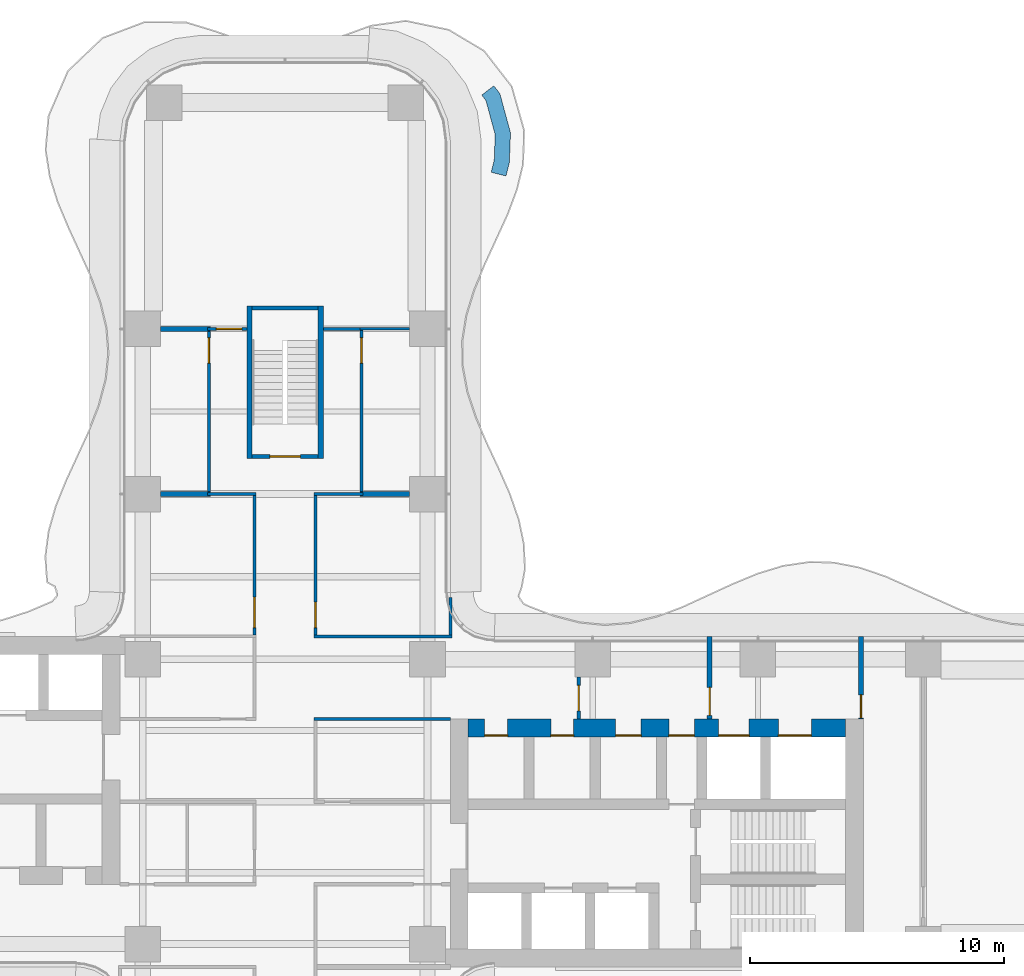
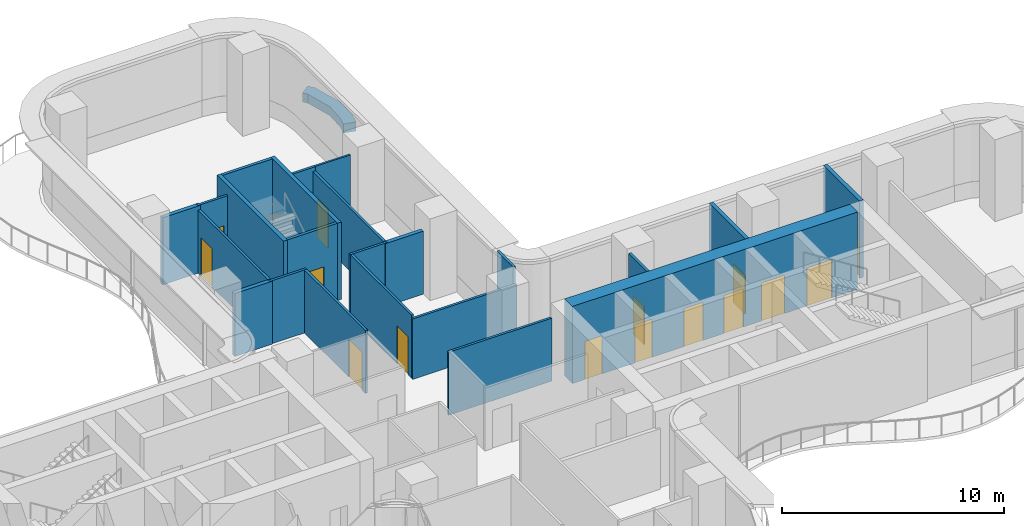
# One storey, part 19 of 22: 24 walls, 15 doors, 15 openings.
"""IFC4 building model written with IfcOpenShell, lengths in metres."""

from ifc_helpers import new_model, si_unit, direction, frame, frame_2d, origin, place, context, subcontext, project, spatial, polyline, rectangle, outline, extrude, source, transform, mapped, material, layer, layer_set, type_object, element, fill, save


model = new_model("IFC4")

# Units and contexts
model_context = context("Model", 3, precision=1e-05, world=origin(), true_north=direction((0.0, 1.0)))
body_context = subcontext(model_context, "Body", "Model", "MODEL_VIEW")
ifc_project = project(units=[si_unit("LENGTHUNIT", "METRE"), si_unit("AREAUNIT", "SQUARE_METRE"), si_unit("VOLUMEUNIT", "CUBIC_METRE"), si_unit("PLANEANGLEUNIT", "RADIAN"), si_unit("MASSUNIT", "GRAM", prefix="KILO")], contexts=[model_context])

# Site, building, storey
site_placement = place(None, origin())
site = spatial("IfcSite", under=ifc_project, at=site_placement, CompositionType="ELEMENT")
building_placement = place(site_placement, origin())
building = spatial("IfcBuilding", under=site, at=building_placement, Name="Trellis Farm Tower", CompositionType="ELEMENT")
storey_placement = place(building_placement, frame((0.0, 0.0, 43.0)))
storey = spatial("IfcBuildingStorey", under=building, at=storey_placement, Name="L08", CompositionType="ELEMENT", Elevation=43.0)

# Wall
ifc_material_1 = material(Name="Sandstone faced masonry planter", Category="masonry")
ifc_layer_1 = layer(ifc_material_1, 0.60009765625)
ifc_layer_set_1 = layer_set([ifc_layer_1], Name="PLANTER BED 600")
wall_type_1 = type_object("IfcWallType", Name="PLANTER BED 600", PredefinedType="USERDEFINED", material=ifc_layer_set_1)
wall_1_placement = place(storey_placement, origin())
element("IfcWall", 1, at=wall_1_placement, inside=storey, type_object=wall_type_1, Name="PLANTER bed", ObjectType="PLANTER", PredefinedType="USERDEFINED", context=body_context, shape_type="SweptSolid", body=[
    extrude(outline(polyline([(8.4482421875, 27.852294921875), (8.8662109375, 26.3134765625), (8.822509765625, 25.156494140625), (8.691650390625, 24.61669921875), (8.1083984375, 24.758056640625), (8.22509765625, 25.239501953125), (8.26318359375, 26.24462890625), (7.89990234375, 27.582275390625), (7.735107421875, 27.799072265625), (8.212646484375, 28.162353515625), (8.4482421875, 27.852294921875)])), origin(), (0.0, 0.0, 1.0), 0.5),
])

# Wall, opening, door
ifc_material_2 = material(Name="Masonry blockwork", Category="masonry")
ifc_layer_2 = layer(ifc_material_2, 0.199951171875)
ifc_layer_set_2 = layer_set([ifc_layer_2], Name="FIRE LOBBY PARTITION 200 BLOCKWORK")
wall_type_2 = type_object("IfcWallType", Name="FIRE LOBBY PARTITION 200 BLOCKWORK", PredefinedType="PARTITIONING", material=ifc_layer_set_2)
shared_shape_1 = source(origin(), body_context, "Body", "SweptSolid", [
    extrude(rectangle(XDim=3.25, YDim=0.199951171875, at=frame_2d((1.625, 0.0))), origin(), (0.0, 0.0, 1.0), 4.25),
])
wall_2_placement = place(storey_placement, frame((16.699951171875, 3.25, 0.0), z_axis=(0.0, 0.0, 1.0), x_axis=(0.0, 1.0, 0.0)))
wall_2 = element("IfcWall", 2, at=wall_2_placement, inside=storey, type_object=wall_type_2, Name="Fire-fighting lobby partition", PredefinedType="PARTITIONING", context=body_context, shape_type="MappedRepresentation", body=[
    mapped(shared_shape_1, transform((0.0, 0.0, 0.0))),
])
shared_shape_2 = source(origin(), body_context, "Body", "SweptSolid", [
    extrude(rectangle(XDim=1.10009765625, YDim=2.10009765625, at=frame_2d((0.550048828125, 1.050048828125))), frame((0.0, 0.110107421875, 0.0), z_axis=(0.0, -1.0, 0.0), x_axis=(1.0, 0.0, 0.0)), (0.0, 0.0, 1.0), 0.22021484375),
])
opening_1_placement = place(wall_2_placement, frame((0.14990234375, 0.0, 0.0)))
opening_1 = element("IfcOpeningElement", 3, at=opening_1_placement, cuts=wall_2, Name="Opening DC7", PredefinedType="OPENING", context=body_context, shape_type="MappedRepresentation", body=[
    mapped(shared_shape_2, transform((0.0, 0.0, 0.0))),
])
ifc_material_3 = material(Name="Steel", Category="steel")
door_type_1 = type_object("IfcDoorType", Name="CORE FIRE DOOR 1100 X 2100", OperationType="NOTDEFINED", PredefinedType="DOOR", material=ifc_material_3)
shared_shape_3 = source(origin(), body_context, "Body", "SweptSolid", [
    extrude(rectangle(XDim=1.10009765625, YDim=2.10009765625, at=frame_2d((0.550048828125, 1.050048828125))), frame((0.0, 0.02490234375, 0.0), z_axis=(0.0, -1.0, 0.0), x_axis=(1.0, 0.0, 0.0)), (0.0, 0.0, 1.0), 0.050048828125),
])
door_1_placement = place(opening_1_placement, origin())
door_1 = element("IfcDoor", 4, at=door_1_placement, inside=storey, type_object=door_type_1, Name="Core door", OperationType="SINGLE_SWING_RIGHT", OverallHeight=2.10009765625, OverallWidth=1.10009765625, PredefinedType="DOOR", context=body_context, shape_type="MappedRepresentation", body=[
    mapped(shared_shape_3, transform((0.0, 0.0, 0.0))),
])
fill(opening_1, door_1)

wall_3_placement = place(storey_placement, frame((22.64990234375, 3.25, 0.0), z_axis=(0.0, 0.0, 1.0), x_axis=(0.0, 1.0, 0.0)))
wall_3 = element("IfcWall", 5, at=wall_3_placement, inside=storey, type_object=wall_type_2, Name="Fire-fighting lobby partition", PredefinedType="PARTITIONING", context=body_context, shape_type="MappedRepresentation", body=[
    mapped(shared_shape_1, transform((0.0, 0.0, 0.0))),
])
shared_shape_4 = source(origin(), body_context, "Body", "SweptSolid", [
    extrude(rectangle(XDim=0.89990234375, YDim=2.10009765625, at=frame_2d((0.449951171875, 1.050048828125))), frame((0.0, 0.110107421875, 0.0), z_axis=(0.0, -1.0, 0.0), x_axis=(1.0, 0.0, 0.0)), (0.0, 0.0, 1.0), 0.22021484375),
])
opening_2_placement = place(wall_3_placement, frame((0.050048828125, 0.0, 0.0)))
opening_2 = element("IfcOpeningElement", 6, at=opening_2_placement, cuts=wall_3, Name="Opening DC8", PredefinedType="OPENING", context=body_context, shape_type="MappedRepresentation", body=[
    mapped(shared_shape_4, transform((0.0, 0.0, 0.0))),
])
door_type_2 = type_object("IfcDoorType", Name="CORE FIRE DOOR 900 X 2100", OperationType="NOTDEFINED", PredefinedType="DOOR", material=ifc_material_3)
shared_shape_5 = source(origin(), body_context, "Body", "SweptSolid", [
    extrude(rectangle(XDim=0.89990234375, YDim=2.10009765625, at=frame_2d((0.449951171875, 1.050048828125))), frame((0.0, 0.02490234375, 0.0), z_axis=(0.0, -1.0, 0.0), x_axis=(1.0, 0.0, 0.0)), (0.0, 0.0, 1.0), 0.050048828125),
])
door_2_placement = place(opening_2_placement, origin())
door_2 = element("IfcDoor", 7, at=door_2_placement, inside=storey, type_object=door_type_2, Name="Core door", OperationType="SINGLE_SWING_RIGHT", OverallHeight=2.10009765625, OverallWidth=0.89990234375, PredefinedType="DOOR", context=body_context, shape_type="MappedRepresentation", body=[
    mapped(shared_shape_5, transform((0.0, 0.0, 0.0))),
])
fill(opening_2, door_2)

# Wall, openings, doors
ifc_material_4 = material(Name="Concrete C80/95", Category="concrete")
ifc_layer_3 = layer(ifc_material_4, 0.699951171875)
ifc_layer_set_3 = layer_set([ifc_layer_3], Name="CORE OUTER WALL 700 CONCRETE C80/95")
wall_type_3 = type_object("IfcWallType", Name="CORE OUTER WALL 700 CONCRETE C80/95", PredefinedType="SHEAR", material=ifc_layer_set_3)
shared_shape_6 = source(origin(), body_context, "Body", "SweptSolid", [
    extrude(rectangle(XDim=14.85009765625, YDim=0.699951171875, at=frame_2d((7.425048828125, 0.0))), origin(), (0.0, 0.0, 1.0), 4.25),
])
wall_4_placement = place(storey_placement, frame((7.199951171875, 2.89990234375, 0.0), z_axis=(0.0, 0.0, 1.0), x_axis=(1.0, 0.0, 0.0)))
wall_4 = element("IfcWall", 8, at=wall_4_placement, inside=storey, type_object=wall_type_3, Name="Core wall", PredefinedType="SHEAR", context=body_context, shape_type="MappedRepresentation", body=[
    mapped(shared_shape_6, transform((0.0, 0.0, 0.0))),
])
shared_shape_7 = source(origin(), body_context, "Body", "SweptSolid", [
    extrude(rectangle(XDim=1.300048828125, YDim=2.10009765625, at=frame_2d((0.64990234375, 1.050048828125))), frame((0.0, 0.360107421875, 0.0), z_axis=(0.0, -1.0, 0.0), x_axis=(1.0, 0.0, 0.0)), (0.0, 0.0, 1.0), 0.72021484375),
])
opening_3_placement = place(wall_4_placement, frame((12.199951171875, 0.0, 0.0)))
opening_3 = element("IfcOpeningElement", 9, at=opening_3_placement, cuts=wall_4, Name="Opening LD7", PredefinedType="OPENING", context=body_context, shape_type="MappedRepresentation", body=[
    mapped(shared_shape_7, transform((0.0, 0.0, 0.0))),
])
shared_shape_8 = source(origin(), body_context, "Body", "SweptSolid", [
    extrude(rectangle(XDim=1.199951171875, YDim=2.10009765625, at=frame_2d((0.60009765625, 1.050048828125))), frame((0.0, 0.360107421875, 0.0), z_axis=(0.0, -1.0, 0.0), x_axis=(1.0, 0.0, 0.0)), (0.0, 0.0, 1.0), 0.72021484375),
])
opening_4_placement = place(wall_4_placement, frame((9.85009765625, 0.0, 0.0)))
opening_4 = element("IfcOpeningElement", 10, at=opening_4_placement, cuts=wall_4, Name="Opening LD8", PredefinedType="OPENING", context=body_context, shape_type="MappedRepresentation", body=[
    mapped(shared_shape_8, transform((0.0, 0.0, 0.0))),
])
shared_shape_9 = source(origin(), body_context, "Body", "SweptSolid", [
    extrude(rectangle(XDim=1.0, YDim=2.10009765625, at=frame_2d((0.5, 1.050048828125))), frame((0.0, 0.360107421875, 0.0), z_axis=(0.0, -1.0, 0.0), x_axis=(1.0, 0.0, 0.0)), (0.0, 0.0, 1.0), 0.72021484375),
])
opening_5_placement = place(wall_4_placement, frame((7.89990234375, 0.0, 0.0)))
opening_5 = element("IfcOpeningElement", 11, at=opening_5_placement, cuts=wall_4, Name="Opening DC6", PredefinedType="OPENING", context=body_context, shape_type="MappedRepresentation", body=[
    mapped(shared_shape_9, transform((0.0, 0.0, 0.0))),
])
shared_shape_10 = source(origin(), body_context, "Body", "SweptSolid", [
    extrude(rectangle(XDim=0.89990234375, YDim=2.10009765625, at=frame_2d((0.449951171875, 1.050048828125))), frame((0.0, 0.360107421875, 0.0), z_axis=(0.0, -1.0, 0.0), x_axis=(1.0, 0.0, 0.0)), (0.0, 0.0, 1.0), 0.72021484375),
])
opening_6_placement = place(wall_4_placement, frame((0.64990234375, 0.0, 0.0)))
opening_6 = element("IfcOpeningElement", 12, at=opening_6_placement, cuts=wall_4, Name="Opening DC11", PredefinedType="OPENING", context=body_context, shape_type="MappedRepresentation", body=[
    mapped(shared_shape_10, transform((0.0, 0.0, 0.0))),
])
opening_7_placement = place(wall_4_placement, frame((3.25, 0.0, 0.0)))
opening_7 = element("IfcOpeningElement", 13, at=opening_7_placement, cuts=wall_4, Name="Opening DC24", PredefinedType="OPENING", context=body_context, shape_type="MappedRepresentation", body=[
    mapped(shared_shape_10, transform((0.0, 0.0, 0.0))),
])
opening_8_placement = place(wall_4_placement, frame((5.800048828125, 0.0, 0.0)))
opening_8 = element("IfcOpeningElement", 14, at=opening_8_placement, cuts=wall_4, Name="Opening DC37", PredefinedType="OPENING", context=body_context, shape_type="MappedRepresentation", body=[
    mapped(shared_shape_9, transform((0.0, 0.0, 0.0))),
])
door_type_3 = type_object("IfcDoorType", Name="CORE FIRE DOOR 1000 X 2100", OperationType="NOTDEFINED", PredefinedType="DOOR", material=ifc_material_3)
shared_shape_11 = source(origin(), body_context, "Body", "SweptSolid", [
    extrude(rectangle(XDim=1.0, YDim=2.10009765625, at=frame_2d((0.5, 1.050048828125))), frame((0.0, -0.27490234375, 0.0), z_axis=(0.0, -1.0, 0.0), x_axis=(1.0, 0.0, 0.0)), (0.0, 0.0, 1.0), 0.050048828125),
])
door_3_placement = place(opening_5_placement, origin())
door_3 = element("IfcDoor", 15, at=door_3_placement, inside=storey, type_object=door_type_3, Name="Core door", OperationType="SINGLE_SWING_LEFT", OverallHeight=2.10009765625, OverallWidth=1.0, PredefinedType="DOOR", context=body_context, shape_type="MappedRepresentation", body=[
    mapped(shared_shape_11, transform((0.0, 0.0, 0.0))),
])
fill(opening_5, door_3)
door_4_placement = place(opening_8_placement, origin())
door_4 = element("IfcDoor", 16, at=door_4_placement, inside=storey, type_object=door_type_3, Name="Core door", OperationType="SINGLE_SWING_LEFT", OverallHeight=2.10009765625, OverallWidth=1.0, PredefinedType="DOOR", context=body_context, shape_type="MappedRepresentation", body=[
    mapped(shared_shape_11, transform((0.0, 0.0, 0.0))),
])
fill(opening_8, door_4)
shared_shape_12 = source(origin(), body_context, "Body", "SweptSolid", [
    extrude(rectangle(XDim=0.89990234375, YDim=2.10009765625, at=frame_2d((0.449951171875, 1.050048828125))), frame((0.0, -0.27490234375, 0.0), z_axis=(0.0, -1.0, 0.0), x_axis=(1.0, 0.0, 0.0)), (0.0, 0.0, 1.0), 0.050048828125),
])
door_5_placement = place(opening_6_placement, origin())
door_5 = element("IfcDoor", 17, at=door_5_placement, inside=storey, type_object=door_type_2, Name="Core door", OperationType="SINGLE_SWING_LEFT", OverallHeight=2.10009765625, OverallWidth=0.89990234375, PredefinedType="DOOR", context=body_context, shape_type="MappedRepresentation", body=[
    mapped(shared_shape_12, transform((0.0, 0.0, 0.0))),
])
fill(opening_6, door_5)
door_6_placement = place(opening_7_placement, origin())
door_6 = element("IfcDoor", 18, at=door_6_placement, inside=storey, type_object=door_type_2, Name="Core door", OperationType="SINGLE_SWING_RIGHT", OverallHeight=2.10009765625, OverallWidth=0.89990234375, PredefinedType="DOOR", context=body_context, shape_type="MappedRepresentation", body=[
    mapped(shared_shape_12, transform((0.0, 0.0, 0.0))),
])
fill(opening_7, door_6)
ifc_material_5 = material(Name="Stainless steel", Category="steel")
door_type_4 = type_object("IfcDoorType", Name="LIFT LANDING DOOR 1300 X 2100", OperationType="DOUBLE_DOOR_SLIDING", PredefinedType="DOOR", material=ifc_material_5)
shared_shape_13 = source(origin(), body_context, "Body", "SweptSolid", [
    extrude(rectangle(XDim=1.300048828125, YDim=2.10009765625, at=frame_2d((0.64990234375, 1.050048828125))), frame((0.0, -0.27490234375, 0.0), z_axis=(0.0, -1.0, 0.0), x_axis=(1.0, 0.0, 0.0)), (0.0, 0.0, 1.0), 0.050048828125),
])
door_7_placement = place(opening_3_placement, origin())
door_7 = element("IfcDoor", 19, at=door_7_placement, inside=storey, type_object=door_type_4, Name="Lift landing door", OperationType="DOUBLE_DOOR_SLIDING", OverallHeight=2.10009765625, OverallWidth=1.300048828125, PredefinedType="DOOR", context=body_context, shape_type="MappedRepresentation", body=[
    mapped(shared_shape_13, transform((0.0, 0.0, 0.0))),
])
fill(opening_3, door_7)
door_type_5 = type_object("IfcDoorType", Name="LIFT LANDING DOOR 1200 X 2100", OperationType="DOUBLE_DOOR_SLIDING", PredefinedType="DOOR", material=ifc_material_5)
shared_shape_14 = source(origin(), body_context, "Body", "SweptSolid", [
    extrude(rectangle(XDim=1.199951171875, YDim=2.10009765625, at=frame_2d((0.60009765625, 1.050048828125))), frame((0.0, -0.27490234375, 0.0), z_axis=(0.0, -1.0, 0.0), x_axis=(1.0, 0.0, 0.0)), (0.0, 0.0, 1.0), 0.050048828125),
])
door_8_placement = place(opening_4_placement, origin())
door_8 = element("IfcDoor", 20, at=door_8_placement, inside=storey, type_object=door_type_5, Name="Lift landing door", OperationType="DOUBLE_DOOR_SLIDING", OverallHeight=2.10009765625, OverallWidth=1.199951171875, PredefinedType="DOOR", context=body_context, shape_type="MappedRepresentation", body=[
    mapped(shared_shape_14, transform((0.0, 0.0, 0.0))),
])
fill(opening_4, door_8)

# Walls
ifc_layer_4 = layer(ifc_material_4, 0.199951171875)
ifc_layer_set_4 = layer_set([ifc_layer_4], Name="CORE STAIR ENCLOSURE WALL 200 CONCRETE C80/95")
wall_type_4 = type_object("IfcWallType", Name="CORE STAIR ENCLOSURE WALL 200 CONCRETE C80/95", PredefinedType="SHEAR", material=ifc_layer_set_4)
shared_shape_15 = source(origin(), body_context, "Body", "SweptSolid", [
    extrude(rectangle(XDim=6.0, YDim=0.199951171875, at=frame_2d((3.0, 0.0))), origin(), (0.0, 0.0, 1.0), 4.25),
])
for number, where, z_axis, x_axis, name in (
    (21, (-1.39990234375, 13.5, 0.0), (0.0, 0.0, 1.0), (0.0, 1.0, 0.0), "Stair enclosure wall"),
    (22, (1.39990234375, 13.5, 0.0), (0.0, 0.0, 1.0), (0.0, 1.0, 0.0), "Stair enclosure wall"),
):
    element("IfcWall", number, at=place(storey_placement, frame(where, z_axis=z_axis, x_axis=x_axis)), inside=storey, type_object=wall_type_4, Name=name, PredefinedType="SHEAR", context=body_context, shape_type="MappedRepresentation", body=[
        mapped(shared_shape_15, transform((0.0, 0.0, 0.0))),
    ])

# Wall, opening, door
ifc_layer_5 = layer(ifc_material_4, 0.14990234375)
ifc_layer_set_5 = layer_set([ifc_layer_5], Name="CORE STAIR ENCLOSURE WALL 150 CONCRETE C80/95")
wall_type_5 = type_object("IfcWallType", Name="CORE STAIR ENCLOSURE WALL 150 CONCRETE C80/95", PredefinedType="SHEAR", material=ifc_layer_set_5)
shared_shape_16 = source(origin(), body_context, "Body", "SweptSolid", [
    extrude(rectangle(XDim=2.60009765625, YDim=0.14990234375, at=frame_2d((1.300048828125, 0.0))), origin(), (0.0, 0.0, 1.0), 4.25),
])
wall_5_placement = place(storey_placement, frame((-1.300048828125, 13.574951171875, 0.0), z_axis=(0.0, 0.0, 1.0), x_axis=(1.0, 0.0, 0.0)))
wall_5 = element("IfcWall", 23, at=wall_5_placement, inside=storey, type_object=wall_type_5, Name="Stair enclosure wall", PredefinedType="SHEAR", context=body_context, shape_type="MappedRepresentation", body=[
    mapped(shared_shape_16, transform((0.0, 0.0, 0.0))),
])
shared_shape_17 = source(origin(), body_context, "Body", "SweptSolid", [
    extrude(rectangle(XDim=1.199951171875, YDim=2.10009765625, at=frame_2d((0.60009765625, 1.050048828125))), frame((0.0, 0.0849609375, 0.0), z_axis=(0.0, -1.0, 0.0), x_axis=(1.0, 0.0, 0.0)), (0.0, 0.0, 1.0), 0.169921875),
])
opening_9_placement = place(wall_5_placement, frame((0.699951171875, 0.0, 0.0)))
opening_9 = element("IfcOpeningElement", 24, at=opening_9_placement, cuts=wall_5, Name="Opening DC173", PredefinedType="OPENING", context=body_context, shape_type="MappedRepresentation", body=[
    mapped(shared_shape_17, transform((0.0, 0.0, 0.0))),
])
door_type_6 = type_object("IfcDoorType", Name="CORE FIRE DOOR 1200 X 2100", OperationType="NOTDEFINED", PredefinedType="DOOR", material=ifc_material_3)
shared_shape_18 = source(origin(), body_context, "Body", "SweptSolid", [
    extrude(rectangle(XDim=1.199951171875, YDim=2.10009765625, at=frame_2d((0.60009765625, 1.050048828125))), frame((0.0, 0.02490234375, 0.0), z_axis=(0.0, -1.0, 0.0), x_axis=(1.0, 0.0, 0.0)), (0.0, 0.0, 1.0), 0.050048828125),
])
door_9_placement = place(opening_9_placement, origin())
door_9 = element("IfcDoor", 25, at=door_9_placement, inside=storey, type_object=door_type_6, Name="Core door", OperationType="SINGLE_SWING_LEFT", OverallHeight=2.10009765625, OverallWidth=1.199951171875, PredefinedType="DOOR", context=body_context, shape_type="MappedRepresentation", body=[
    mapped(shared_shape_18, transform((0.0, 0.0, 0.0))),
])
fill(opening_9, door_9)

# Wall
wall_6_placement = place(storey_placement, frame((-1.300048828125, 19.425048828125, 0.0), z_axis=(0.0, 0.0, 1.0), x_axis=(1.0, 0.0, 0.0)))
element("IfcWall", 26, at=wall_6_placement, inside=storey, type_object=wall_type_5, Name="Stair enclosure wall", PredefinedType="SHEAR", context=body_context, shape_type="MappedRepresentation", body=[
    mapped(shared_shape_16, transform((0.0, 0.0, 0.0))),
])

# Wall, opening, door
ifc_material_6 = material(Name="Plasterboard on steel studs, mineral wool", Category="steel")
ifc_layer_6 = layer(ifc_material_6, 0.125)
ifc_layer_set_6 = layer_set([ifc_layer_6], Name="PARTITION 125 STUD EI 60")
wall_type_6 = type_object("IfcWallType", Name="PARTITION 125 STUD EI 60", PredefinedType="PARTITIONING", material=ifc_layer_set_6)
shared_shape_19 = source(origin(), body_context, "Body", "SweptSolid", [
    extrude(rectangle(XDim=5.47509765625, YDim=0.125, at=frame_2d((2.737548828125, 0.0))), origin(), (0.0, 0.0, 1.0), 3.4677734375),
])
wall_7_placement = place(storey_placement, frame((1.199951171875, 12.03759765625, 0.0), z_axis=(0.0, 0.0, 1.0), x_axis=(0.0, -1.0, 0.0)))
wall_7 = element("IfcWall", 27, at=wall_7_placement, inside=storey, type_object=wall_type_6, Name="Partition PW1", PredefinedType="PARTITIONING", context=body_context, shape_type="MappedRepresentation", body=[
    mapped(shared_shape_19, transform((0.0, 0.0, 0.0))),
])
shared_shape_20 = source(origin(), body_context, "Body", "SweptSolid", [
    extrude(rectangle(XDim=1.0, YDim=2.10009765625, at=frame_2d((0.5, 1.050048828125))), frame((0.0, 0.072509765625, 0.0), z_axis=(0.0, -1.0, 0.0), x_axis=(1.0, 0.0, 0.0)), (0.0, 0.0, 1.0), 0.14501953125),
])
opening_10_placement = place(wall_7_placement, frame((4.1875, 0.0, 0.0)))
opening_10 = element("IfcOpeningElement", 28, at=opening_10_placement, cuts=wall_7, Name="Opening D304", PredefinedType="OPENING", context=body_context, shape_type="MappedRepresentation", body=[
    mapped(shared_shape_20, transform((0.0, 0.0, 0.0))),
])
ifc_material_7 = material(Name="Fire-rated timber door leaf in a hollow metal frame", Category="wood")
door_type_7 = type_object("IfcDoorType", Name="DOOR 1000x2100 FD60", OperationType="NOTDEFINED", PredefinedType="DOOR", material=ifc_material_7)
shared_shape_21 = source(origin(), body_context, "Body", "SweptSolid", [
    extrude(rectangle(XDim=1.0, YDim=2.10009765625, at=frame_2d((0.5, 1.050048828125))), frame((0.0, 0.02490234375, 0.0), z_axis=(0.0, -1.0, 0.0), x_axis=(1.0, 0.0, 0.0)), (0.0, 0.0, 1.0), 0.050048828125),
])
door_10_placement = place(opening_10_placement, origin())
door_10 = element("IfcDoor", 29, at=door_10_placement, inside=storey, type_object=door_type_7, Name="Door D304", OperationType="SINGLE_SWING_RIGHT", OverallHeight=2.10009765625, OverallWidth=1.0, PredefinedType="DOOR", context=body_context, shape_type="MappedRepresentation", body=[
    mapped(shared_shape_21, transform((0.0, 0.0, 0.0))),
])
fill(opening_10, door_10)

shared_shape_22 = source(origin(), body_context, "Body", "SweptSolid", [
    extrude(rectangle(XDim=6.35009765625, YDim=0.125, at=frame_2d((3.175048828125, 0.0))), origin(), (0.0, 0.0, 1.0), 3.4677734375),
])
wall_8_placement = place(storey_placement, frame((3.0, 18.550048828125, 0.0), z_axis=(0.0, 0.0, 1.0), x_axis=(0.0, -1.0, 0.0)))
wall_8 = element("IfcWall", 30, at=wall_8_placement, inside=storey, type_object=wall_type_6, Name="Partition PW1", PredefinedType="PARTITIONING", context=body_context, shape_type="MappedRepresentation", body=[
    mapped(shared_shape_22, transform((0.0, 0.0, 0.0))),
])
opening_11_placement = place(wall_8_placement, frame((0.300048828125, 0.0, 0.0)))
opening_11 = element("IfcOpeningElement", 31, at=opening_11_placement, cuts=wall_8, Name="Opening D110", PredefinedType="OPENING", context=body_context, shape_type="MappedRepresentation", body=[
    mapped(shared_shape_20, transform((0.0, 0.0, 0.0))),
])
door_type_8 = type_object("IfcDoorType", Name="DOOR 1000x2100 FD30S", OperationType="NOTDEFINED", PredefinedType="DOOR", material=ifc_material_7)
door_11_placement = place(opening_11_placement, origin())
door_11 = element("IfcDoor", 32, at=door_11_placement, inside=storey, type_object=door_type_8, Name="Door D110", OperationType="SINGLE_SWING_LEFT", OverallHeight=2.10009765625, OverallWidth=1.0, PredefinedType="DOOR", context=body_context, shape_type="MappedRepresentation", body=[
    mapped(shared_shape_21, transform((0.0, 0.0, 0.0))),
])
fill(opening_11, door_11)

# Wall
shared_shape_23 = source(origin(), body_context, "Body", "SweptSolid", [
    extrude(rectangle(XDim=1.468994140625, YDim=0.125, at=frame_2d((0.734375, 0.0))), origin(), (0.0, 0.0, 1.0), 4.25),
])
wall_9_placement = place(storey_placement, frame((6.5, 6.5625, 0.0), z_axis=(0.0, 0.0, 1.0), x_axis=(0.0, 1.0, 0.0)))
element("IfcWall", 33, at=wall_9_placement, inside=storey, type_object=wall_type_6, Name="Partition PW1", PredefinedType="PARTITIONING", context=body_context, shape_type="MappedRepresentation", body=[
    mapped(shared_shape_23, transform((0.0, 0.0, 0.0))),
])

# Wall, opening, door
shared_shape_24 = source(origin(), body_context, "Body", "SweptSolid", [
    extrude(rectangle(XDim=1.64990234375, YDim=0.125, at=frame_2d((0.824951171875, 0.0))), origin(), (0.0, 0.0, 1.0), 4.25),
])
wall_10_placement = place(storey_placement, frame((11.550048828125, 3.25, 0.0), z_axis=(0.0, 0.0, 1.0), x_axis=(0.0, 1.0, 0.0)))
wall_10 = element("IfcWall", 34, at=wall_10_placement, inside=storey, type_object=wall_type_6, Name="Partition PW1", PredefinedType="PARTITIONING", context=body_context, shape_type="MappedRepresentation", body=[
    mapped(shared_shape_24, transform((0.0, 0.0, 0.0))),
])
opening_12_placement = place(wall_10_placement, frame((0.324951171875, 0.0, 0.0)))
opening_12 = element("IfcOpeningElement", 35, at=opening_12_placement, cuts=wall_10, Name="Opening D303", PredefinedType="OPENING", context=body_context, shape_type="MappedRepresentation", body=[
    mapped(shared_shape_20, transform((0.0, 0.0, 0.0))),
])
door_12_placement = place(opening_12_placement, origin())
door_12 = element("IfcDoor", 36, at=door_12_placement, inside=storey, type_object=door_type_7, Name="Door D303", OperationType="SINGLE_SWING_LEFT", OverallHeight=2.10009765625, OverallWidth=1.0, PredefinedType="DOOR", context=body_context, shape_type="MappedRepresentation", body=[
    mapped(shared_shape_21, transform((0.0, 0.0, 0.0))),
])
fill(opening_12, door_12)

# Wall
ifc_material_8 = material(Name="Plasterboard on steel studs", Category="steel")
ifc_layer_7 = layer(ifc_material_8, 0.10009765625)
ifc_layer_set_7 = layer_set([ifc_layer_7], Name="PARTITION 100 STUD EI 30")
wall_type_7 = type_object("IfcWallType", Name="PARTITION 100 STUD EI 30", PredefinedType="PARTITIONING", material=ifc_layer_set_7)
shared_shape_25 = source(origin(), body_context, "Body", "SweptSolid", [
    extrude(rectangle(XDim=1.96240234375, YDim=0.10009765625, at=frame_2d((0.981201171875, 0.0))), origin(), (0.0, 0.0, 1.0), 3.69677734375),
])
wall_11_placement = place(storey_placement, frame((2.9375, 18.60009765625, 0.0), z_axis=(0.0, 0.0, 1.0), x_axis=(1.0, 0.0, 0.0)))
element("IfcWall", 37, at=wall_11_placement, inside=storey, type_object=wall_type_7, Name="Partition PW2", PredefinedType="PARTITIONING", context=body_context, shape_type="MappedRepresentation", body=[
    mapped(shared_shape_25, transform((0.0, 0.0, 0.0))),
])

# Wall, opening, door
shared_shape_26 = source(origin(), body_context, "Body", "SweptSolid", [
    extrude(rectangle(XDim=1.5625, YDim=0.125, at=frame_2d((0.78125, 0.0))), origin(), (0.0, 0.0, 1.0), 3.69677734375),
])
wall_12_placement = place(storey_placement, frame((-3.0625, 18.60009765625, 0.0), z_axis=(0.0, 0.0, 1.0), x_axis=(1.0, 0.0, 0.0)))
wall_12 = element("IfcWall", 38, at=wall_12_placement, inside=storey, type_object=wall_type_6, Name="Partition PW1", PredefinedType="PARTITIONING", context=body_context, shape_type="MappedRepresentation", body=[
    mapped(shared_shape_26, transform((0.0, 0.0, 0.0))),
])
opening_13_placement = place(wall_12_placement, frame((0.362548828125, 0.0, 0.0)))
opening_13 = element("IfcOpeningElement", 39, at=opening_13_placement, cuts=wall_12, Name="Opening D111", PredefinedType="OPENING", context=body_context, shape_type="MappedRepresentation", body=[
    mapped(shared_shape_20, transform((0.0, 0.0, 0.0))),
])
door_13_placement = place(opening_13_placement, origin())
door_13 = element("IfcDoor", 40, at=door_13_placement, inside=storey, type_object=door_type_8, Name="Door D111", OperationType="SINGLE_SWING_RIGHT", OverallHeight=2.10009765625, OverallWidth=1.0, PredefinedType="DOOR", context=body_context, shape_type="MappedRepresentation", body=[
    mapped(shared_shape_21, transform((0.0, 0.0, 0.0))),
])
fill(opening_13, door_13)

# Walls
wall_13_placement = place(storey_placement, frame((1.5, 18.60009765625, 0.0), z_axis=(0.0, 0.0, 1.0), x_axis=(1.0, 0.0, 0.0)))
element("IfcWall", 41, at=wall_13_placement, inside=storey, type_object=wall_type_6, Name="Partition PW1", PredefinedType="PARTITIONING", context=body_context, shape_type="MappedRepresentation", body=[
    mapped(shared_shape_26, transform((0.0, 0.0, 0.0))),
])
shared_shape_27 = source(origin(), body_context, "Body", "SweptSolid", [
    extrude(rectangle(XDim=1.925048828125, YDim=0.125, at=frame_2d((0.96240234375, 0.0))), origin(), (0.0, 0.0, 1.0), 3.4677734375),
])
for number, where, z_axis, x_axis, name in (
    (42, (-1.137451171875, 12.10009765625, 0.0), (0.0, 0.0, 1.0), (-1.0, 0.0, 0.0), "Partition PW1"),
    (43, (3.0625, 12.10009765625, 0.0), (0.0, 0.0, 1.0), (-1.0, 0.0, 0.0), "Partition PW1"),
):
    element("IfcWall", number, at=place(storey_placement, frame(where, z_axis=z_axis, x_axis=x_axis)), inside=storey, type_object=wall_type_6, Name=name, PredefinedType="PARTITIONING", context=body_context, shape_type="MappedRepresentation", body=[
        mapped(shared_shape_27, transform((0.0, 0.0, 0.0))),
    ])
shared_shape_28 = source(origin(), body_context, "Body", "SweptSolid", [
    extrude(rectangle(XDim=5.362548828125, YDim=0.125, at=frame_2d((2.68115234375, 0.0))), origin(), (0.0, 0.0, 1.0), 3.4677734375),
])
wall_14_placement = place(storey_placement, frame((1.137451171875, 3.25, 0.0), z_axis=(0.0, 0.0, 1.0), x_axis=(1.0, 0.0, 0.0)))
element("IfcWall", 44, at=wall_14_placement, inside=storey, type_object=wall_type_6, Name="Partition PW1", PredefinedType="PARTITIONING", context=body_context, shape_type="MappedRepresentation", body=[
    mapped(shared_shape_28, transform((0.0, 0.0, 0.0))),
])
shared_shape_29 = source(origin(), body_context, "Body", "SweptSolid", [
    extrude(rectangle(XDim=5.425048828125, YDim=0.125, at=frame_2d((2.71240234375, 0.0))), origin(), (0.0, 0.0, 1.0), 3.330078125),
])
wall_15_placement = place(storey_placement, frame((1.137451171875, 6.5, 0.0), z_axis=(0.0, 0.0, 1.0), x_axis=(1.0, 0.0, 0.0)))
element("IfcWall", 45, at=wall_15_placement, inside=storey, type_object=wall_type_6, Name="Partition PW1", PredefinedType="PARTITIONING", context=body_context, shape_type="MappedRepresentation", body=[
    mapped(shared_shape_29, transform((0.0, 0.0, 0.0))),
])
ifc_material_9 = material(Name="Lightweight blockwork, plastered", Category="masonry")
ifc_layer_8 = layer(ifc_material_9, 0.199951171875)
ifc_layer_set_8 = layer_set([ifc_layer_8], Name="BLOCK WALL 200 EI 120")
wall_type_8 = type_object("IfcWallType", Name="BLOCK WALL 200 EI 120", PredefinedType="PARTITIONING", material=ifc_layer_set_8)
shared_shape_30 = source(origin(), body_context, "Body", "SweptSolid", [
    extrude(rectangle(XDim=1.96240234375, YDim=0.199951171875, at=frame_2d((0.981201171875, 0.0))), origin(), (0.0, 0.0, 1.0), 3.4677734375),
])
for number, where, z_axis, x_axis, name in (
    (46, (-4.89990234375, 12.10009765625, 0.0), (0.0, 0.0, 1.0), (1.0, 0.0, 0.0), "Partition PW3"),
    (47, (2.9375, 12.10009765625, 0.0), (0.0, 0.0, 1.0), (1.0, 0.0, 0.0), "Partition PW3"),
):
    element("IfcWall", number, at=place(storey_placement, frame(where, z_axis=z_axis, x_axis=x_axis)), inside=storey, type_object=wall_type_8, Name=name, PredefinedType="PARTITIONING", context=body_context, shape_type="MappedRepresentation", body=[
        mapped(shared_shape_30, transform((0.0, 0.0, 0.0))),
    ])

# Wall, opening, door
shared_shape_31 = source(origin(), body_context, "Body", "SweptSolid", [
    extrude(rectangle(XDim=6.300048828125, YDim=0.125, at=frame_2d((3.14990234375, 0.0))), origin(), (0.0, 0.0, 1.0), 3.4677734375),
])
wall_16_placement = place(storey_placement, frame((-3.0, 12.199951171875, 0.0), z_axis=(0.0, 0.0, 1.0), x_axis=(0.0, 1.0, 0.0)))
wall_16 = element("IfcWall", 48, at=wall_16_placement, inside=storey, type_object=wall_type_6, Name="Partition PW1", PredefinedType="PARTITIONING", context=body_context, shape_type="MappedRepresentation", body=[
    mapped(shared_shape_31, transform((0.0, 0.0, 0.0))),
])
opening_14_placement = place(wall_16_placement, frame((5.050048828125, 0.0, 0.0)))
opening_14 = element("IfcOpeningElement", 49, at=opening_14_placement, cuts=wall_16, Name="Opening D305", PredefinedType="OPENING", context=body_context, shape_type="MappedRepresentation", body=[
    mapped(shared_shape_20, transform((0.0, 0.0, 0.0))),
])
door_14_placement = place(opening_14_placement, origin())
door_14 = element("IfcDoor", 50, at=door_14_placement, inside=storey, type_object=door_type_7, Name="Door D305", OperationType="SINGLE_SWING_RIGHT", OverallHeight=2.10009765625, OverallWidth=1.0, PredefinedType="DOOR", context=body_context, shape_type="MappedRepresentation", body=[
    mapped(shared_shape_21, transform((0.0, 0.0, 0.0))),
])
fill(opening_14, door_14)

shared_shape_32 = source(origin(), body_context, "Body", "SweptSolid", [
    extrude(rectangle(XDim=5.487548828125, YDim=0.125, at=frame_2d((2.74365234375, 0.0))), origin(), (0.0, 0.0, 1.0), 3.4677734375),
])
wall_17_placement = place(storey_placement, frame((-1.199951171875, 6.550048828125, 0.0), z_axis=(0.0, 0.0, 1.0), x_axis=(0.0, 1.0, 0.0)))
wall_17 = element("IfcWall", 51, at=wall_17_placement, inside=storey, type_object=wall_type_6, Name="Partition PW1", PredefinedType="PARTITIONING", context=body_context, shape_type="MappedRepresentation", body=[
    mapped(shared_shape_32, transform((0.0, 0.0, 0.0))),
])
shared_shape_33 = source(origin(), body_context, "Body", "SweptSolid", [
    extrude(rectangle(XDim=1.199951171875, YDim=2.10009765625, at=frame_2d((0.60009765625, 1.050048828125))), frame((0.0, 0.072509765625, 0.0), z_axis=(0.0, -1.0, 0.0), x_axis=(1.0, 0.0, 0.0)), (0.0, 0.0, 1.0), 0.14501953125),
])
opening_15_placement = place(wall_17_placement, frame((0.300048828125, 0.0, 0.0)))
opening_15 = element("IfcOpeningElement", 52, at=opening_15_placement, cuts=wall_17, Name="Opening D602", PredefinedType="OPENING", context=body_context, shape_type="MappedRepresentation", body=[
    mapped(shared_shape_33, transform((0.0, 0.0, 0.0))),
])
door_type_9 = type_object("IfcDoorType", Name="DOOR 1200x2100 FD30S", OperationType="NOTDEFINED", PredefinedType="DOOR", material=ifc_material_7)
door_15_placement = place(opening_15_placement, origin())
door_15 = element("IfcDoor", 53, at=door_15_placement, inside=storey, type_object=door_type_9, Name="Door D602", OperationType="SINGLE_SWING_LEFT", OverallHeight=2.10009765625, OverallWidth=1.199951171875, PredefinedType="DOOR", context=body_context, shape_type="MappedRepresentation", body=[
    mapped(shared_shape_18, transform((0.0, 0.0, 0.0))),
])
fill(opening_15, door_15)

# Wall
shared_shape_34 = source(origin(), body_context, "Body", "SweptSolid", [
    extrude(rectangle(XDim=1.96240234375, YDim=0.199951171875, at=frame_2d((0.981201171875, 0.0))), origin(), (0.0, 0.0, 1.0), 3.69677734375),
])
wall_18_placement = place(storey_placement, frame((-4.89990234375, 18.60009765625, 0.0), z_axis=(0.0, 0.0, 1.0), x_axis=(1.0, 0.0, 0.0)))
element("IfcWall", 54, at=wall_18_placement, inside=storey, type_object=wall_type_8, Name="Partition PW3", PredefinedType="PARTITIONING", context=body_context, shape_type="MappedRepresentation", body=[
    mapped(shared_shape_34, transform((0.0, 0.0, 0.0))),
])

save(model, "model.ifc")
